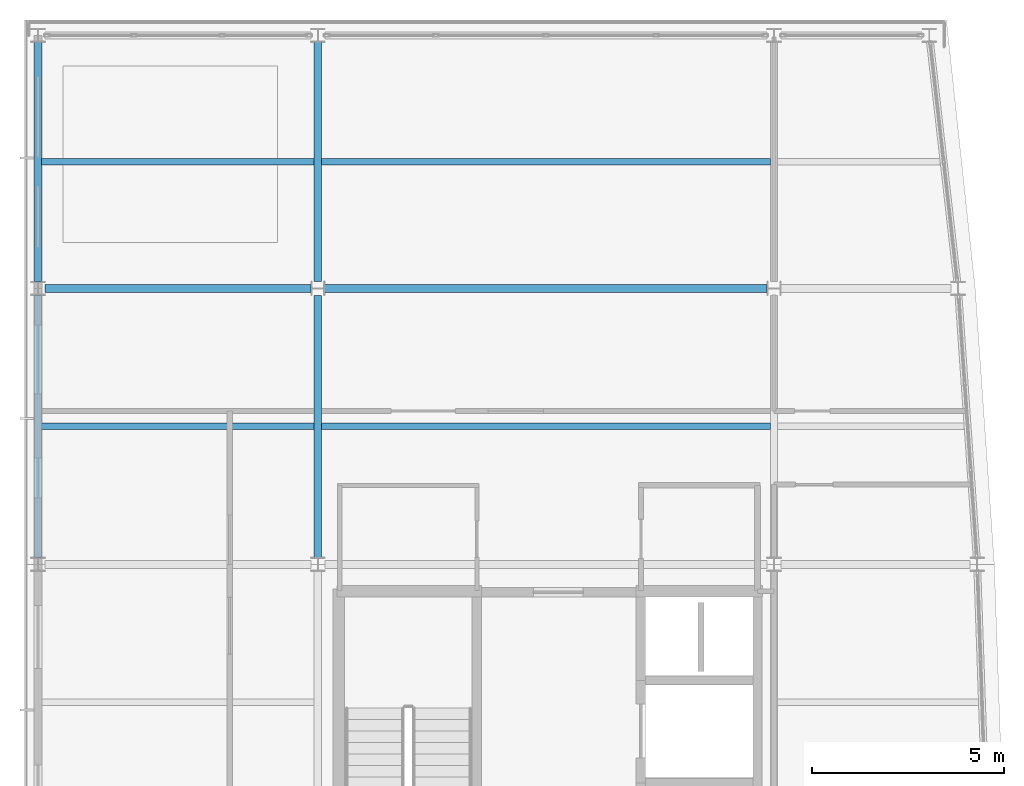
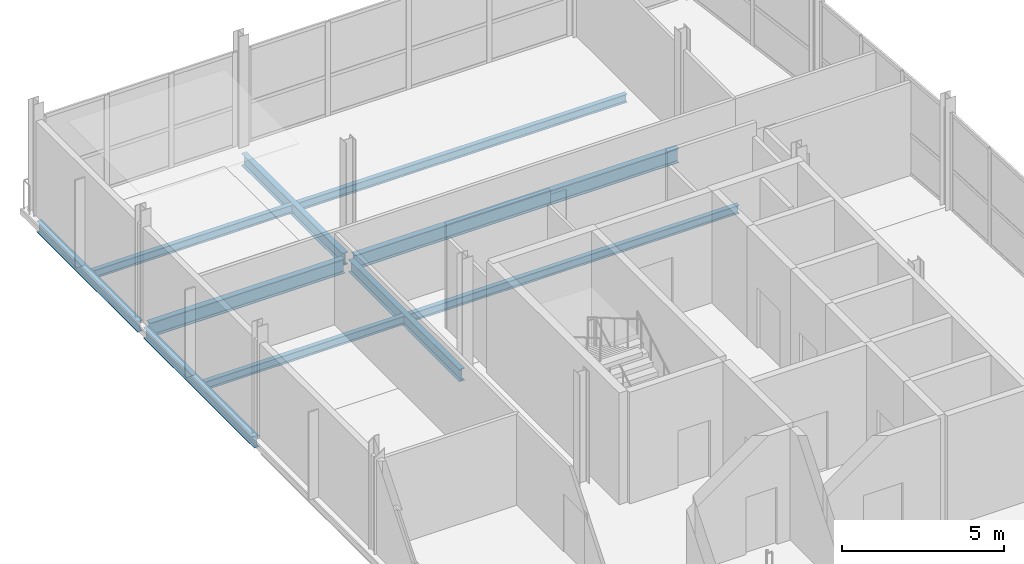
# One storey, part 6 of 17: 10 beams.
"""IFC4 building model written with IfcOpenShell, lengths in metres."""

from ifc_helpers import new_model, si_unit, direction, frame, origin, origin_2d, place, context, subcontext, project, spatial, i_section, extrude, material, material_profile, profile_set, type_object, element, save


model = new_model("IFC4")

# Units and contexts
model_context = context("Model", 3, precision=1e-05, world=origin(), true_north=direction((0.0, 1.0)))
body_context = subcontext(model_context, "Body", "Model", "MODEL_VIEW")
ifc_project = project(units=[si_unit("LENGTHUNIT", "METRE"), si_unit("AREAUNIT", "SQUARE_METRE"), si_unit("VOLUMEUNIT", "CUBIC_METRE"), si_unit("PLANEANGLEUNIT", "RADIAN"), si_unit("MASSUNIT", "GRAM", prefix="KILO")], contexts=[model_context])

# Site, building, storey
site_placement = place(None, origin())
site = spatial("IfcSite", under=ifc_project, at=site_placement, CompositionType="ELEMENT")
building_placement = place(site_placement, origin())
building = spatial("IfcBuilding", under=site, at=building_placement, Name="Quillay Park Conservatory", CompositionType="ELEMENT")
storey_placement = place(building_placement, frame((0.0, 0.0, 56.10009765625)))
storey = spatial("IfcBuildingStorey", under=building, at=storey_placement, Name="L13", CompositionType="ELEMENT", Elevation=56.10009765625)

# Beams
ifc_material_1 = material(Name="Steel ASTM A992 Grade 50", Category="steel")
ifc_material_profile_1 = material_profile(ifc_material_1, i_section(OverallWidth=0.166015625, OverallDepth=0.31298828125, WebThickness=0.006591796875, FlangeThickness=0.01123046875, FilletRadius=0.010009765625, at=origin_2d()), Name="W310x45")
ifc_profile_set_1 = profile_set([ifc_material_profile_1], Name="Steel ASTM A992 Grade 50")
beam_type_1 = type_object("IfcBeamType", Name="COMPOSITE FLOOR JOIST W310 X45", PredefinedType="JOIST", material=ifc_profile_set_1)
beam_1_placement = place(storey_placement, frame((0.639892578125, 103.199951171875, -0.356689453125), z_axis=(1.0, 0.0, 0.0), x_axis=(0.0, 1.0, 0.0)))
element("IfcBeam", 1, at=beam_1_placement, inside=storey, type_object=beam_type_1, Name="L13 beam BM-J-0932", PredefinedType="JOIST", context=body_context, shape_type="SweptSolid", body=[
    extrude(i_section(OverallWidth=0.166015625, OverallDepth=0.31298828125, WebThickness=0.006591796875, FlangeThickness=0.01123046875, FilletRadius=0.010009765625, at=origin_2d()), origin(), (0.0, 0.0, 1.0), 7.114013671875),
])
beam_2_placement = place(storey_placement, frame((7.946044921875, 103.199951171875, -0.356689453125), z_axis=(1.0, 0.0, 0.0), x_axis=(0.0, 1.0, 0.0)))
element("IfcBeam", 2, at=beam_2_placement, inside=storey, type_object=beam_type_1, Name="L13 beam BM-J-0934", PredefinedType="JOIST", context=body_context, shape_type="SweptSolid", body=[
    extrude(i_section(OverallWidth=0.166015625, OverallDepth=0.31298828125, WebThickness=0.006591796875, FlangeThickness=0.01123046875, FilletRadius=0.010009765625, at=origin_2d()), origin(), (0.0, 0.0, 1.0), 11.7080078125),
])
beam_3_placement = place(storey_placement, frame((0.639892578125, 110.10009765625, -0.356689453125), z_axis=(1.0, 0.0, 0.0), x_axis=(0.0, 1.0, 0.0)))
element("IfcBeam", 3, at=beam_3_placement, inside=storey, type_object=beam_type_1, Name="L13 beam BM-J-0939", PredefinedType="JOIST", context=body_context, shape_type="SweptSolid", body=[
    extrude(i_section(OverallWidth=0.166015625, OverallDepth=0.31298828125, WebThickness=0.006591796875, FlangeThickness=0.01123046875, FilletRadius=0.010009765625, at=origin_2d()), origin(), (0.0, 0.0, 1.0), 7.114013671875),
])
beam_4_placement = place(storey_placement, frame((7.946044921875, 110.10009765625, -0.356689453125), z_axis=(1.0, 0.0, 0.0), x_axis=(0.0, 1.0, 0.0)))
element("IfcBeam", 4, at=beam_4_placement, inside=storey, type_object=beam_type_1, Name="L13 beam BM-J-0941", PredefinedType="JOIST", context=body_context, shape_type="SweptSolid", body=[
    extrude(i_section(OverallWidth=0.166015625, OverallDepth=0.31298828125, WebThickness=0.006591796875, FlangeThickness=0.01123046875, FilletRadius=0.010009765625, at=origin_2d()), origin(), (0.0, 0.0, 1.0), 11.7080078125),
])
ifc_material_2 = material(Name="Steel ASTM A992 Grade 50", Category="steel")
ifc_material_profile_2 = material_profile(ifc_material_2, i_section(OverallWidth=0.179931640625, OverallDepth=0.4130859375, WebThickness=0.009765625, FlangeThickness=0.01611328125, FilletRadius=0.011962890625, at=origin_2d()), Name="W410x74")
ifc_profile_set_2 = profile_set([ifc_material_profile_2], Name="Steel ASTM A992 Grade 50")
beam_type_2 = type_object("IfcBeamType", Name="PERIMETER SPANDREL BEAM W410 X74", PredefinedType="SPANDREL", material=ifc_profile_set_2)
beam_5_placement = place(storey_placement, frame((0.550048828125, 99.778076171875, -0.406494140625), z_axis=(0.0, 1.0, 0.0), x_axis=(-1.0, 0.0, 0.0)))
element("IfcBeam", 5, at=beam_5_placement, inside=storey, type_object=beam_type_2, Name="L13 beam BM-SPW-0928", PredefinedType="SPANDREL", context=body_context, shape_type="SweptSolid", body=[
    extrude(i_section(OverallWidth=0.179931640625, OverallDepth=0.4130859375, WebThickness=0.009765625, FlangeThickness=0.01611328125, FilletRadius=0.011962890625, at=origin_2d()), origin(), (0.0, 0.0, 1.0), 6.843994140625),
])
beam_6_placement = place(storey_placement, frame((0.550048828125, 106.97802734375, -0.406494140625), z_axis=(0.0, 1.0, 0.0), x_axis=(-1.0, 0.0, 0.0)))
element("IfcBeam", 6, at=beam_6_placement, inside=storey, type_object=beam_type_2, Name="L13 beam BM-SPW-0935", PredefinedType="SPANDREL", context=body_context, shape_type="SweptSolid", body=[
    extrude(i_section(OverallWidth=0.179931640625, OverallDepth=0.4130859375, WebThickness=0.009765625, FlangeThickness=0.01611328125, FilletRadius=0.011962890625, at=origin_2d()), origin(), (0.0, 0.0, 1.0), 6.243896484375),
])
ifc_material_3 = material(Name="Steel ASTM A992 Grade 50", Category="steel")
ifc_material_profile_3 = material_profile(ifc_material_3, i_section(OverallWidth=0.19189453125, OverallDepth=0.462890625, WebThickness=0.010498046875, FlangeThickness=0.017578125, FilletRadius=0.012939453125, at=origin_2d()), Name="W460x89")
ifc_profile_set_3 = profile_set([ifc_material_profile_3], Name="Steel ASTM A992 Grade 50")
beam_type_3 = type_object("IfcBeamType", Name="PRIMARY FLOOR GIRDER W460 X89", PredefinedType="BEAM", material=ifc_profile_set_3)
beam_7_placement = place(storey_placement, frame((7.85009765625, 99.778076171875, -0.431640625), z_axis=(0.0, 1.0, 0.0), x_axis=(-1.0, 0.0, 0.0)))
element("IfcBeam", 7, at=beam_7_placement, inside=storey, type_object=beam_type_3, Name="L13 beam BM-GNS-0930", PredefinedType="BEAM", context=body_context, shape_type="SweptSolid", body=[
    extrude(i_section(OverallWidth=0.19189453125, OverallDepth=0.462890625, WebThickness=0.010498046875, FlangeThickness=0.017578125, FilletRadius=0.012939453125, at=origin_2d()), origin(), (0.0, 0.0, 1.0), 6.83740234375),
])
beam_8_placement = place(storey_placement, frame((7.85009765625, 106.984619140625, -0.431640625), z_axis=(0.0, 1.0, 0.0), x_axis=(-1.0, 0.0, 0.0)))
element("IfcBeam", 8, at=beam_8_placement, inside=storey, type_object=beam_type_3, Name="L13 beam BM-GNS-0937", PredefinedType="BEAM", context=body_context, shape_type="SweptSolid", body=[
    extrude(i_section(OverallWidth=0.19189453125, OverallDepth=0.462890625, WebThickness=0.010498046875, FlangeThickness=0.017578125, FilletRadius=0.012939453125, at=origin_2d()), origin(), (0.0, 0.0, 1.0), 6.2373046875),
])
ifc_material_4 = material(Name="Steel ASTM A992 Grade 50", Category="steel")
ifc_material_profile_4 = material_profile(ifc_material_4, i_section(OverallWidth=0.2109375, OverallDepth=0.5390625, WebThickness=0.01171875, FlangeThickness=0.018798828125, FilletRadius=0.013916015625, at=origin_2d()), Name="W530x109")
ifc_profile_set_4 = profile_set([ifc_material_profile_4], Name="Steel ASTM A992 Grade 50")
beam_type_4 = type_object("IfcBeamType", Name="PRIMARY FLOOR GIRDER W530 X109", PredefinedType="BEAM", material=ifc_profile_set_4)
beam_9_placement = place(storey_placement, frame((0.734619140625, 106.800048828125, -0.469482421875), z_axis=(1.0, 0.0, 0.0), x_axis=(0.0, 1.0, 0.0)))
element("IfcBeam", 9, at=beam_9_placement, inside=storey, type_object=beam_type_4, Name="L13 beam BM-G-0897", PredefinedType="BEAM", context=body_context, shape_type="SweptSolid", body=[
    extrude(i_section(OverallWidth=0.2109375, OverallDepth=0.5390625, WebThickness=0.01171875, FlangeThickness=0.018798828125, FilletRadius=0.013916015625, at=origin_2d()), origin(), (0.0, 0.0, 1.0), 6.9375),
])
beam_10_placement = place(storey_placement, frame((8.028076171875, 106.800048828125, -0.469482421875), z_axis=(1.0, 0.0, 0.0), x_axis=(0.0, 1.0, 0.0)))
element("IfcBeam", 10, at=beam_10_placement, inside=storey, type_object=beam_type_4, Name="L13 beam BM-G-0898", PredefinedType="BEAM", context=body_context, shape_type="SweptSolid", body=[
    extrude(i_section(OverallWidth=0.2109375, OverallDepth=0.5390625, WebThickness=0.01171875, FlangeThickness=0.018798828125, FilletRadius=0.013916015625, at=origin_2d()), origin(), (0.0, 0.0, 1.0), 11.5439453125),
])

save(model, "model.ifc")
